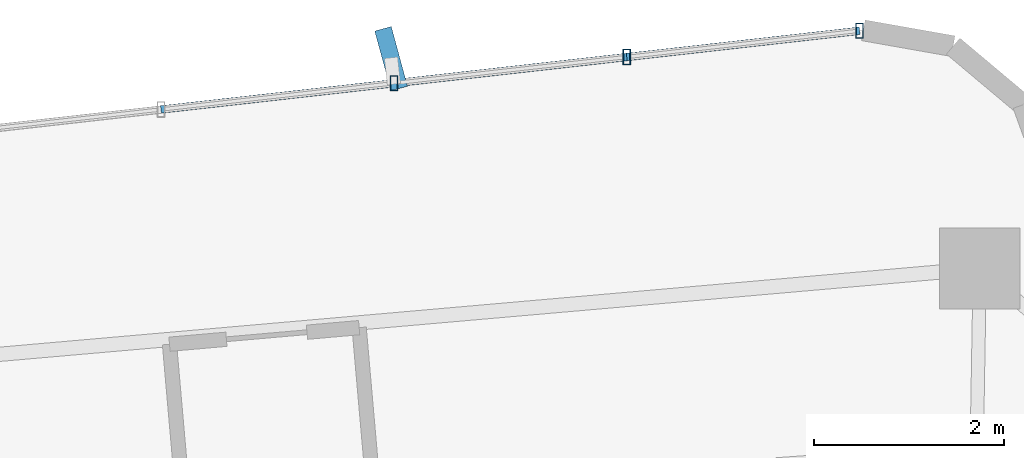
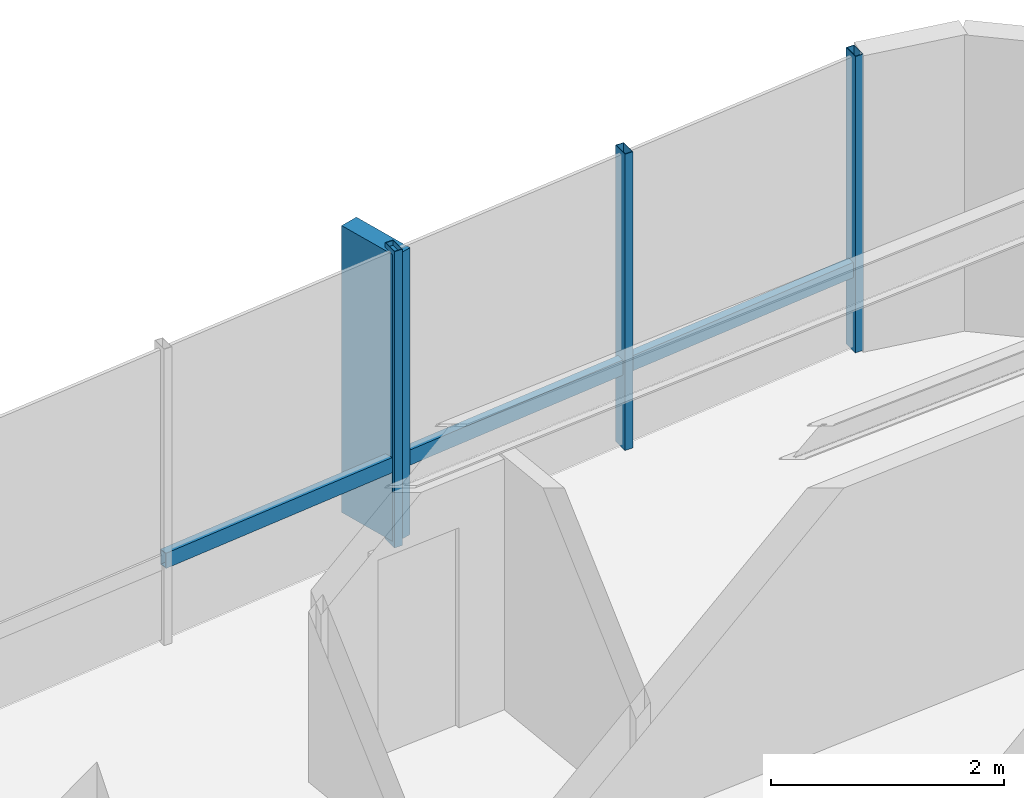
# One storey, part 18 of 24: 7 members, 1 element without a shape of its own.
"""IFC4 building model written with IfcOpenShell, lengths in metres."""

from ifc_helpers import new_model, si_unit, direction, frame, origin, origin_2d, place, context, subcontext, project, spatial, rectangle, hollow_rectangle, extrude, source, transform, mapped, material, material_profile, profile_set, type_object, element, aggregate, save


model = new_model("IFC4")

# Units and contexts
model_context = context("Model", 3, precision=1e-05, world=origin(), true_north=direction((0.0, 1.0)))
body_context = subcontext(model_context, "Body", "Model", "MODEL_VIEW")
ifc_project = project(units=[si_unit("LENGTHUNIT", "METRE"), si_unit("AREAUNIT", "SQUARE_METRE"), si_unit("VOLUMEUNIT", "CUBIC_METRE"), si_unit("PLANEANGLEUNIT", "RADIAN"), si_unit("MASSUNIT", "GRAM", prefix="KILO")], contexts=[model_context])

# Site, building, storey
site_placement = place(None, origin())
site = spatial("IfcSite", under=ifc_project, at=site_placement, CompositionType="ELEMENT")
building_placement = place(site_placement, origin())
building = spatial("IfcBuilding", under=site, at=building_placement, Name="Sahyath Konkavel Grand Hotel", CompositionType="ELEMENT")
storey_placement = place(building_placement, frame((0.0, 0.0, 150.60009765625)))
storey = spatial("IfcBuildingStorey", under=building, at=storey_placement, Name="L41", CompositionType="ELEMENT", Elevation=150.60009765625)

# Curtain wall, members
ifc_material_1 = material(Name="Anodised Bronze Aluminium & Low-E Glazing", Category="aluminium")
curtain_wall_type = type_object("IfcCurtainWallType", Name="CW-ZONE3", PredefinedType="NOTDEFINED", material=ifc_material_1)
curtain_wall_placement = place(storey_placement, origin())
curtain_wall = element("IfcCurtainWall", 1, at=curtain_wall_placement, inside=storey, type_object=curtain_wall_type, Name="L41 Unitised Curtain Wall F12", PredefinedType="NOTDEFINED")
ifc_material_2 = material(Name="Anodised Bronze Aluminium", Category="aluminium")
ifc_material_profile_1 = material_profile(ifc_material_2, hollow_rectangle(XDim=0.080078125, YDim=0.159912109375, WallThickness=0.006103515625, at=origin_2d()), Name="RHS 160x80x6")
ifc_profile_set_1 = profile_set([ifc_material_profile_1], Name="Anodised Bronze Aluminium")
member_type_1 = type_object("IfcMemberType", Name="CW-MUL-160", PredefinedType="MULLION", material=ifc_profile_set_1)
shared_shape_1 = source(origin(), body_context, "Body", "SweptSolid", [
    extrude(hollow_rectangle(XDim=0.080078125, YDim=0.159912109375, WallThickness=0.006103515625, at=origin_2d()), origin(), (0.0, 0.0, 1.0), 3.10986328125),
])
member_1_placement = place(storey_placement, frame((2.673828125, 20.610595703125, 0.0), z_axis=(0.0, 0.0, 1.0), x_axis=(1.0, 0.0, 0.0)))
member_1 = element("IfcMember", 2, at=member_1_placement, type_object=member_type_1, Name="L41 Curtain Wall Mullion F12-0", PredefinedType="MULLION", context=body_context, shape_type="MappedRepresentation", body=[
    mapped(shared_shape_1, transform((0.0, 0.0, 0.0), scale=1.0)),
])
member_2_placement = place(storey_placement, frame((0.227294921875, 20.334716796875, 0.0), z_axis=(0.0, 0.0, 1.0), x_axis=(1.0, 0.0, 0.0)))
member_2 = element("IfcMember", 3, at=member_2_placement, type_object=member_type_1, Name="L41 Curtain Wall Mullion F12-1", PredefinedType="MULLION", context=body_context, shape_type="MappedRepresentation", body=[
    mapped(shared_shape_1, transform((0.0, 0.0, 0.0), scale=1.0)),
])
member_3_placement = place(storey_placement, frame((-2.21923828125, 20.05908203125, 0.0), z_axis=(0.0, 0.0, 1.0), x_axis=(1.0, 0.0, 0.0)))
member_3 = element("IfcMember", 4, at=member_3_placement, type_object=member_type_1, Name="L41 Curtain Wall Mullion F12-2", PredefinedType="MULLION", context=body_context, shape_type="MappedRepresentation", body=[
    mapped(shared_shape_1, transform((0.0, 0.0, 0.0), scale=1.0)),
])
ifc_material_3 = material(Name="Warm Buff Sandstone Cladding on Concrete C50/60", Category="masonry")
ifc_material_profile_2 = material_profile(ifc_material_3, rectangle(XDim=0.179931640625, YDim=0.64990234375, at=origin_2d()), Name="FIN 180x650")
ifc_profile_set_2 = profile_set([ifc_material_profile_2], Name="Warm Buff Sandstone Cladding on Concrete C50/60")
member_type_2 = type_object("IfcMemberType", Name="FIN-SANDSTONE-650", PredefinedType="MULLION", material=ifc_profile_set_2)
shared_shape_2 = source(origin(), body_context, "Body", "SweptSolid", [
    extrude(rectangle(XDim=0.179931640625, YDim=0.64990234375, at=origin_2d()), origin(), (0.0, 0.0, 1.0), 3.010009765625),
])
member_4_placement = place(storey_placement, frame((-2.248291015625, 20.3173828125, 0.0498046875), z_axis=(0.0, 0.0, 1.0), x_axis=(0.965016494472, 0.262189178641, 0.0)))
member_4 = element("IfcMember", 5, at=member_4_placement, type_object=member_type_2, Name="L41 Sandstone Vertical Solar Fin FIN F12-2", PredefinedType="MULLION", context=body_context, shape_type="MappedRepresentation", body=[
    mapped(shared_shape_2, transform((0.0, 0.0, 0.0), scale=1.0)),
])
ifc_material_profile_3 = material_profile(ifc_material_2, hollow_rectangle(XDim=0.080078125, YDim=0.159912109375, WallThickness=0.006103515625, at=origin_2d()), Name="RHS 160x80x6")
ifc_profile_set_3 = profile_set([ifc_material_profile_3], Name="Anodised Bronze Aluminium")
member_type_3 = type_object("IfcMemberType", Name="CW-TRN-160", PredefinedType="USERDEFINED", material=ifc_profile_set_3)
shared_shape_3 = source(origin(), body_context, "Body", "SweptSolid", [
    extrude(hollow_rectangle(XDim=0.080078125, YDim=0.159912109375, WallThickness=0.006103515625, at=origin_2d()), origin(), (0.0, 0.0, 1.0), 2.462158203125),
])
member_5_placement = place(storey_placement, frame((2.673828125, 20.610595703125, 0.849853515625), z_axis=(-0.99370222711, -0.112053040279, 0.0), x_axis=(0.112053040279, -0.99370222711, 0.0)))
member_5 = element("IfcMember", 6, at=member_5_placement, type_object=member_type_3, Name="L41 Curtain Wall Transom F12-0-spandrel", ObjectType="TRANSOM", PredefinedType="USERDEFINED", context=body_context, shape_type="MappedRepresentation", body=[
    mapped(shared_shape_3, transform((0.0, 0.0, 0.0), scale=1.0)),
])
member_6_placement = place(storey_placement, frame((-2.21923828125, 20.05908203125, 0.849853515625), z_axis=(-0.99370222711, -0.112053040279, 0.0), x_axis=(0.112053040279, -0.99370222711, 0.0)))
member_6 = element("IfcMember", 7, at=member_6_placement, type_object=member_type_3, Name="L41 Curtain Wall Transom F12-2-spandrel", ObjectType="TRANSOM", PredefinedType="USERDEFINED", context=body_context, shape_type="MappedRepresentation", body=[
    mapped(shared_shape_3, transform((0.0, 0.0, 0.0), scale=1.0)),
])
shared_shape_4 = source(origin(), body_context, "Body", "SweptSolid", [
    extrude(hollow_rectangle(XDim=0.080078125, YDim=0.159912109375, WallThickness=0.006103515625, at=origin_2d()), origin(), (0.0, 0.0, 1.0), 2.4619140625),
])
member_7_placement = place(storey_placement, frame((0.227294921875, 20.334716796875, 0.849853515625), z_axis=(-0.993713263833, -0.111955121731, 0.0), x_axis=(0.111955121731, -0.993713263833, 0.0)))
member_7 = element("IfcMember", 8, at=member_7_placement, type_object=member_type_3, Name="L41 Curtain Wall Transom F12-1-spandrel", ObjectType="TRANSOM", PredefinedType="USERDEFINED", context=body_context, shape_type="MappedRepresentation", body=[
    mapped(shared_shape_4, transform((0.0, 0.0, 0.0), scale=1.0)),
])
aggregate(curtain_wall, [member_1, member_2, member_3, member_4, member_5, member_7, member_6])

save(model, "model.ifc")
